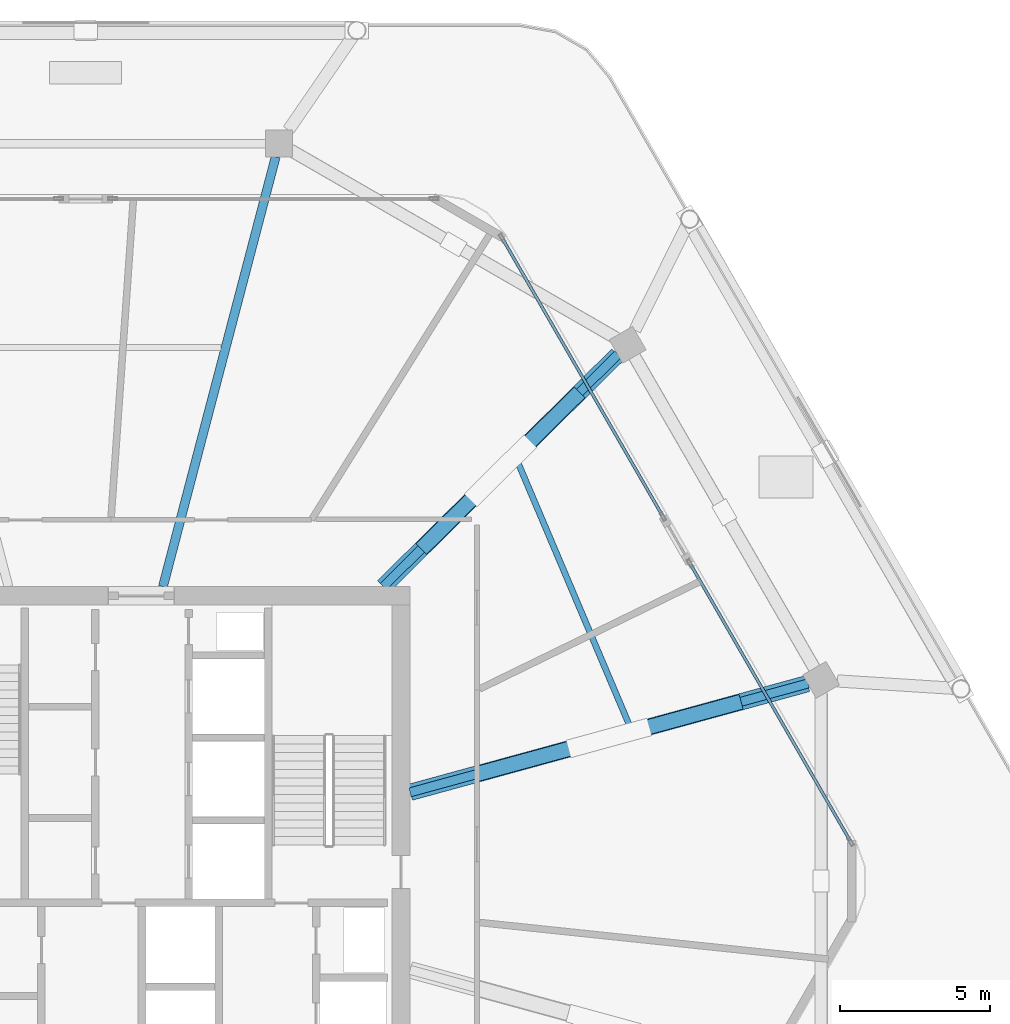
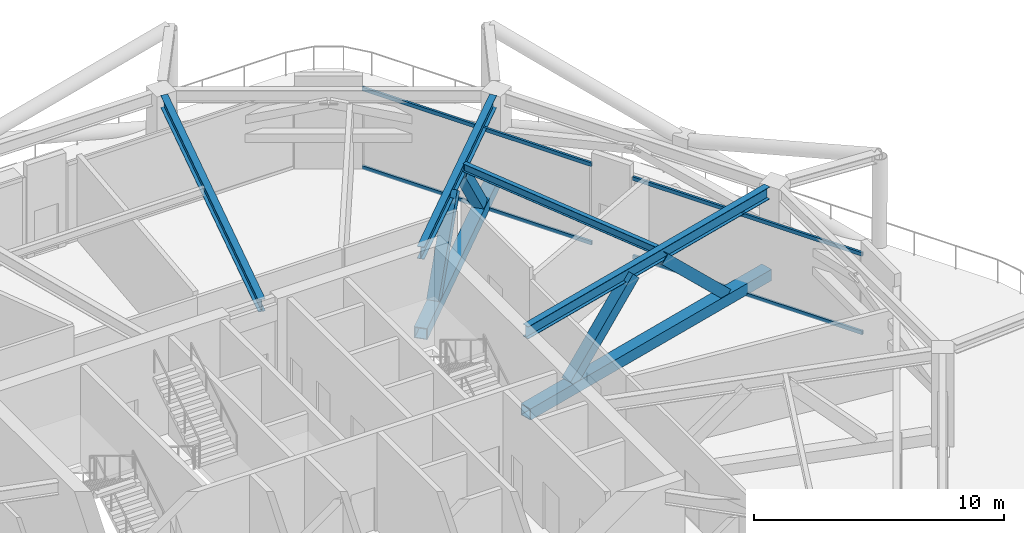
# One storey, part 9 of 20: 10 members, 4 beams, 2 elements without a shape of their own.
"""IFC4 building model written with IfcOpenShell, lengths in metres."""

from ifc_helpers import new_model, si_unit, direction, frame, origin, origin_2d, place, context, subcontext, project, spatial, hollow_rectangle, i_section, extrude, material, material_profile, profile_set, type_object, element, aggregate, save


model = new_model("IFC4")

# Units and contexts
model_context = context("Model", 3, precision=1e-05, world=origin(), true_north=direction((0.0, 1.0)))
body_context = subcontext(model_context, "Body", "Model", "MODEL_VIEW")
ifc_project = project(units=[si_unit("LENGTHUNIT", "METRE"), si_unit("AREAUNIT", "SQUARE_METRE"), si_unit("VOLUMEUNIT", "CUBIC_METRE"), si_unit("PLANEANGLEUNIT", "RADIAN"), si_unit("MASSUNIT", "GRAM", prefix="KILO")], contexts=[model_context])

# Site, building, storey
site_placement = place(None, origin())
site = spatial("IfcSite", under=ifc_project, at=site_placement, CompositionType="ELEMENT")
building_placement = place(site_placement, origin())
building = spatial("IfcBuilding", under=site, at=building_placement, Name="Zuhravey Tower", CompositionType="ELEMENT")
storey_placement = place(building_placement, frame((0.0, 0.0, 226.39990234375)))
storey = spatial("IfcBuildingStorey", under=building, at=storey_placement, Name="L57", CompositionType="ELEMENT", Elevation=226.39990234375)

# Members
ifc_material_1 = material(Name="Steel SM460", Category="steel")
ifc_material_profile_1 = material_profile(ifc_material_1, hollow_rectangle(XDim=0.550048828125, YDim=0.550048828125, WallThickness=0.034912109375, at=origin_2d()), Name="RHS-550x550x35")
ifc_profile_set_1 = profile_set([ifc_material_profile_1], Name="Steel SM460")
member_type_1 = type_object("IfcMemberType", Name="Outrigger Truss Chord RHS550x550", PredefinedType="CHORD", material=ifc_profile_set_1)
member_1_placement = place(storey_placement, frame((46.807861328125, 34.95703125, 0.320068359375), z_axis=(0.964553096475, 0.263888847967, 0.0), x_axis=(-0.263888847967, 0.964553096475, 0.0)))
element("IfcMember", 1, at=member_1_placement, inside=storey, type_object=member_type_1, Name="L57 Outrigger Bottom Chord OTC1-01", PredefinedType="CHORD", context=body_context, shape_type="SweptSolid", body=[
    extrude(hollow_rectangle(XDim=0.550048828125, YDim=0.550048828125, WallThickness=0.034912109375, at=origin_2d()), origin(), (0.0, 0.0, 1.0), 13.708984375),
])
member_2_placement = place(storey_placement, frame((45.91015625, 41.806640625, 0.320068359375), z_axis=(0.710835092384, 0.703358707514, 0.0), x_axis=(-0.703358707514, 0.710835092384, 0.0)))
element("IfcMember", 2, at=member_2_placement, inside=storey, type_object=member_type_1, Name="L57 Outrigger Bottom Chord OTC1-02", PredefinedType="CHORD", context=body_context, shape_type="SweptSolid", body=[
    extrude(hollow_rectangle(XDim=0.550048828125, YDim=0.550048828125, WallThickness=0.034912109375, at=origin_2d()), origin(), (0.0, 0.0, 1.0), 10.97216796875),
])
ifc_material_profile_2 = material_profile(ifc_material_1, hollow_rectangle(XDim=0.5, YDim=0.5, WallThickness=0.031982421875, at=origin_2d()), Name="RHS-500x500x32")
ifc_profile_set_2 = profile_set([ifc_material_profile_2], Name="Steel SM460")
member_type_2 = type_object("IfcMemberType", Name="Outrigger Truss Diagonal RHS500x500", PredefinedType="BRACE", material=ifc_profile_set_2)
for number, where, z_axis, x_axis, name in (
    (3, (49.18798828125, 35.608154296875, 0.56005859375), (0.686292632713, 0.187777695913, 0.702667744529), (-0.263911332088, 0.964546944838, 0.0), "L57 Outrigger Diagonal OTD1-01.1"),
    (4, (57.65087890625, 37.923583984375, 0.56005859375), (-0.686292632713, -0.187777695913, 0.702667744529), (0.263911332088, -0.964546944838, 0.0), "L57 Outrigger Diagonal OTD1-01.2"),
):
    element("IfcMember", number, at=place(storey_placement, frame(where, z_axis=z_axis, x_axis=x_axis)), inside=storey, type_object=member_type_2, Name=name, PredefinedType="BRACE", context=body_context, shape_type="SweptSolid", body=[
        extrude(hollow_rectangle(XDim=0.5, YDim=0.5, WallThickness=0.031982421875, at=origin_2d()), origin(), (0.0, 0.0, 1.0), 5.009521484375),
    ])
for number, where, z_axis, x_axis, name in (
    (5, (47.314208984375, 43.195556640625, 0.56005859375), (0.447513072519, 0.442878981702, 0.776910713977), (-0.703417081124, 0.710777327989, 0.0), "L57 Outrigger Diagonal OTD1-02.1"),
    (6, (52.305419921875, 48.134765625, 0.56005859375), (-0.447513072519, -0.442878981702, 0.776910713977), (0.703417081124, -0.710777327989, 0.0), "L57 Outrigger Diagonal OTD1-02.2"),
):
    element("IfcMember", number, at=place(storey_placement, frame(where, z_axis=z_axis, x_axis=x_axis)), inside=storey, type_object=member_type_2, Name=name, PredefinedType="BRACE", context=body_context, shape_type="SweptSolid", body=[
        extrude(hollow_rectangle(XDim=0.5, YDim=0.5, WallThickness=0.031982421875, at=origin_2d()), origin(), (0.0, 0.0, 1.0), 4.53076171875),
    ])

# Beams
ifc_material_2 = material(Name="Steel SM355", Category="steel")
ifc_material_profile_3 = material_profile(ifc_material_2, i_section(OverallWidth=0.300048828125, OverallDepth=0.60009765625, WebThickness=0.011962890625, FlangeThickness=0.02001953125, at=origin_2d()), Name="H-600x300x12x20")
ifc_profile_set_3 = profile_set([ifc_material_profile_3], Name="Steel SM355")
beam_type_1 = type_object("IfcBeamType", Name="Radial Primary Girder H600x300", PredefinedType="BEAM", material=ifc_profile_set_3)
beam_1_placement = place(storey_placement, frame((46.802978515625, 34.95556640625, 4.25), z_axis=(0.964548913045, 0.26390413855, 0.0), x_axis=(-0.26390413855, 0.964548913045, 0.0)))
element("IfcBeam", 7, at=beam_1_placement, inside=storey, type_object=beam_type_1, Name="L57 RG3 BM-L57-RAD-01", PredefinedType="BEAM", context=body_context, shape_type="SweptSolid", body=[
    extrude(i_section(OverallWidth=0.300048828125, OverallDepth=0.60009765625, WebThickness=0.011962890625, FlangeThickness=0.02001953125, at=origin_2d()), origin(), (0.0, 0.0, 1.0), 13.7314453125),
])
beam_2_placement = place(storey_placement, frame((45.90673828125, 41.802978515625, 4.25), z_axis=(0.710816516282, 0.703377480576, 0.0), x_axis=(-0.703377480576, 0.710816516282, 0.0)))
element("IfcBeam", 8, at=beam_2_placement, inside=storey, type_object=beam_type_1, Name="L57 RG3 BM-L57-RAD-02", PredefinedType="BEAM", context=body_context, shape_type="SweptSolid", body=[
    extrude(i_section(OverallWidth=0.300048828125, OverallDepth=0.60009765625, WebThickness=0.011962890625, FlangeThickness=0.02001953125, at=origin_2d()), origin(), (0.0, 0.0, 1.0), 10.994384765625),
])
beam_3_placement = place(storey_placement, frame((38.571533203125, 41.802978515625, 4.25), z_axis=(0.253731415841, 0.967274712073, 0.0), x_axis=(-0.967274712073, 0.253731415841, 0.0)))
element("IfcBeam", 9, at=beam_3_placement, inside=storey, type_object=beam_type_1, Name="L57 RG3 BM-L57-RAD-03", PredefinedType="BEAM", context=body_context, shape_type="SweptSolid", body=[
    extrude(i_section(OverallWidth=0.300048828125, OverallDepth=0.60009765625, WebThickness=0.011962890625, FlangeThickness=0.02001953125, at=origin_2d()), origin(), (0.0, 0.0, 1.0), 14.796630859375),
])
ifc_material_profile_4 = material_profile(ifc_material_2, i_section(OverallWidth=0.199951171875, OverallDepth=0.39990234375, WebThickness=0.008056640625, FlangeThickness=0.012939453125, at=origin_2d()), Name="H-400x200x8x13")
ifc_profile_set_4 = profile_set([ifc_material_profile_4], Name="Steel SM355")
beam_type_2 = type_object("IfcBeamType", Name="Secondary Floor Joist H400x200", PredefinedType="JOIST", material=ifc_profile_set_4)
beam_4_placement = place(storey_placement, frame((54.130859375, 37.118896484375, 4.35009765625), z_axis=(-0.390413493754, 0.920639616731, 0.0), x_axis=(-0.920639616731, -0.390413493754, 0.0)))
element("IfcBeam", 10, at=beam_4_placement, inside=storey, type_object=beam_type_2, Name="L57 SJ2 BM-L57-SJ-01-1", PredefinedType="JOIST", context=body_context, shape_type="SweptSolid", body=[
    extrude(i_section(OverallWidth=0.199951171875, OverallDepth=0.39990234375, WebThickness=0.008056640625, FlangeThickness=0.012939453125, at=origin_2d()), origin(), (0.0, 0.0, 1.0), 9.656494140625),
])

# Curtain wall, members
ifc_material_3 = material(Name="Thermally broken anodised aluminium", Category="aluminium")
curtain_wall_type = type_object("IfcCurtainWallType", Name="Sky-Garden Tray Clerestory Curtain Wall CW5", PredefinedType="NOTDEFINED", material=ifc_material_3)
curtain_wall_1_placement = place(storey_placement, origin())
curtain_wall_1 = element("IfcCurtainWall", 11, at=curtain_wall_1_placement, inside=storey, type_object=curtain_wall_type, Name="L57 CW5 CW-L57-F1-1", PredefinedType="NOTDEFINED")
ifc_material_4 = material(Name="Anodised aluminium", Category="aluminium")
ifc_material_profile_5 = material_profile(ifc_material_4, hollow_rectangle(XDim=0.10009765625, YDim=0.179931640625, WallThickness=0.006103515625, at=origin_2d()), Name="ALU-RHS-100x180x6")
ifc_profile_set_5 = profile_set([ifc_material_profile_5], Name="Anodised aluminium")
member_type_3 = type_object("IfcMemberType", Name="Tall-Storey Transom 100x180", PredefinedType="USERDEFINED", material=ifc_profile_set_5)
member_3_placement = place(storey_placement, frame((49.892578125, 53.364501953125, 0.050048828125), z_axis=(0.499998759945, -0.866026119729, 0.0), x_axis=(0.866026119729, 0.499998759945, 0.0)))
member_3 = element("IfcMember", 12, at=member_3_placement, type_object=member_type_3, Name="CW5 transom 1.1", ObjectType="TRANSOM", PredefinedType="USERDEFINED", context=body_context, shape_type="SweptSolid", body=[
    extrude(hollow_rectangle(XDim=0.10009765625, YDim=0.179931640625, WallThickness=0.006103515625, at=origin_2d()), origin(), (0.0, 0.0, 1.0), 10.60595703125),
])
member_4_placement = place(storey_placement, frame((49.892578125, 53.364501953125, 3.880126953125), z_axis=(0.499998759945, -0.866026119729, 0.0), x_axis=(0.866026119729, 0.499998759945, 0.0)))
member_4 = element("IfcMember", 13, at=member_4_placement, type_object=member_type_3, Name="CW5 transom 1.2", ObjectType="TRANSOM", PredefinedType="USERDEFINED", context=body_context, shape_type="SweptSolid", body=[
    extrude(hollow_rectangle(XDim=0.10009765625, YDim=0.179931640625, WallThickness=0.006103515625, at=origin_2d()), origin(), (0.0, 0.0, 1.0), 10.60595703125),
])
aggregate(curtain_wall_1, [member_3, member_4])

curtain_wall_2_placement = place(storey_placement, origin())
curtain_wall_2 = element("IfcCurtainWall", 14, at=curtain_wall_2_placement, inside=storey, type_object=curtain_wall_type, Name="L57 CW5 CW-L57-F1-2", PredefinedType="NOTDEFINED")
member_5_placement = place(storey_placement, frame((56.1455078125, 42.5341796875, 0.050048828125), z_axis=(0.499998759945, -0.866026119729, 0.0), x_axis=(0.866026119729, 0.499998759945, 0.0)))
member_5 = element("IfcMember", 15, at=member_5_placement, type_object=member_type_3, Name="CW5 transom 1.1", ObjectType="TRANSOM", PredefinedType="USERDEFINED", context=body_context, shape_type="SweptSolid", body=[
    extrude(hollow_rectangle(XDim=0.10009765625, YDim=0.179931640625, WallThickness=0.006103515625, at=origin_2d()), origin(), (0.0, 0.0, 1.0), 10.60595703125),
])
member_6_placement = place(storey_placement, frame((56.1455078125, 42.5341796875, 3.880126953125), z_axis=(0.499998759945, -0.866026119729, 0.0), x_axis=(0.866026119729, 0.499998759945, 0.0)))
member_6 = element("IfcMember", 16, at=member_6_placement, type_object=member_type_3, Name="CW5 transom 1.2", ObjectType="TRANSOM", PredefinedType="USERDEFINED", context=body_context, shape_type="SweptSolid", body=[
    extrude(hollow_rectangle(XDim=0.10009765625, YDim=0.179931640625, WallThickness=0.006103515625, at=origin_2d()), origin(), (0.0, 0.0, 1.0), 10.60595703125),
])
aggregate(curtain_wall_2, [member_5, member_6])

save(model, "model.ifc")
